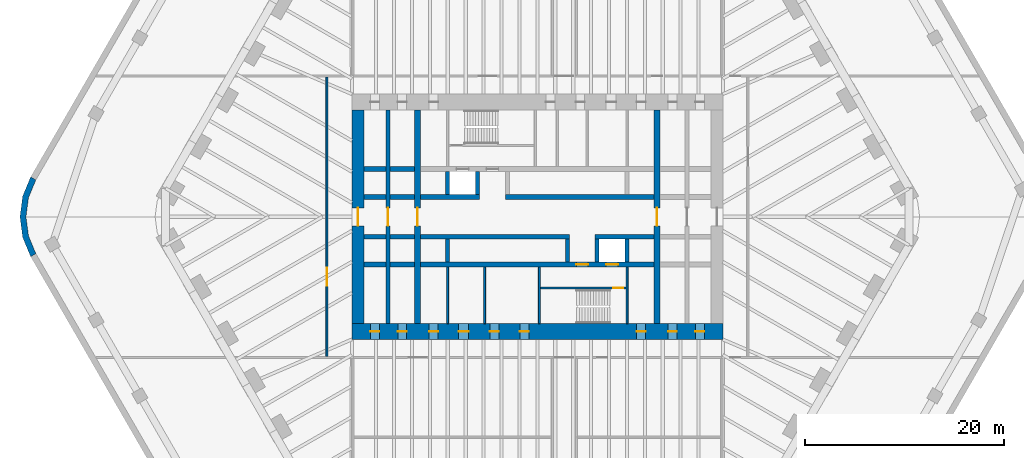
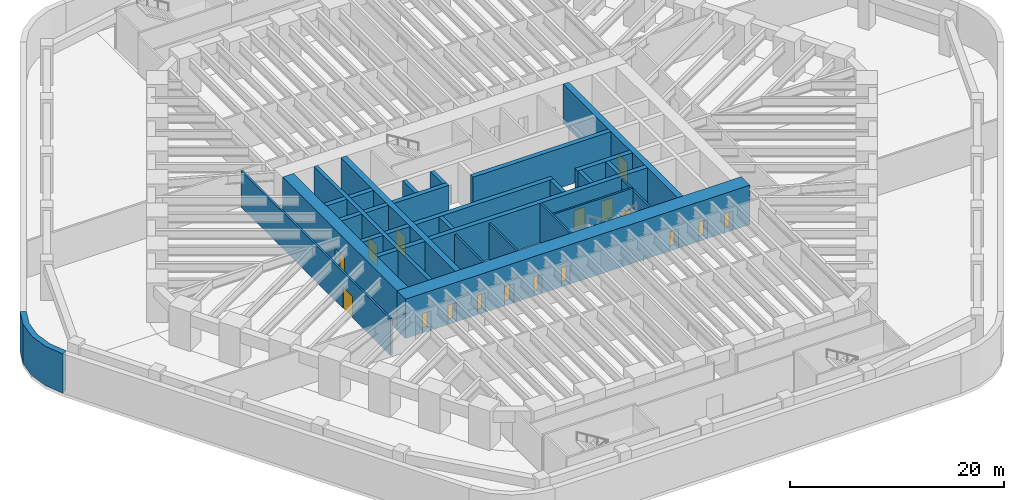
# One storey, part 6 of 12: 31 walls, 17 doors, 17 openings.
"""IFC4 building model written with IfcOpenShell, lengths in metres."""

from ifc_helpers import new_model, si_unit, direction, frame, frame_2d, origin, place, context, subcontext, project, spatial, polyline, rectangle, outline, extrude, material, layer, layer_set, type_object, element, fill, save


model = new_model("IFC4")

# Units and contexts
model_context = context("Model", 3, precision=1e-05, world=origin(), true_north=direction((0.0, 1.0)))
body_context = subcontext(model_context, "Body", "Model", "MODEL_VIEW")
ifc_project = project(units=[si_unit("LENGTHUNIT", "METRE"), si_unit("AREAUNIT", "SQUARE_METRE"), si_unit("VOLUMEUNIT", "CUBIC_METRE"), si_unit("PLANEANGLEUNIT", "RADIAN"), si_unit("MASSUNIT", "GRAM", prefix="KILO")], contexts=[model_context])

# Site, building, storey
site_placement = place(None, origin())
site = spatial("IfcSite", under=ifc_project, at=site_placement, CompositionType="ELEMENT")
building_placement = place(site_placement, origin())
building = spatial("IfcBuilding", under=site, at=building_placement, Name="Tarfa Lantern Tower", CompositionType="ELEMENT")
storey_placement = place(building_placement, frame((0.0, 0.0, -4.5)))
storey = spatial("IfcBuildingStorey", under=building, at=storey_placement, Name="B1", CompositionType="ELEMENT", Elevation=-4.5)

# Walls
ifc_material_1 = material(Name="Concrete blockwork", Category="masonry")
ifc_layer_1 = layer(ifc_material_1, 0.199951171875)
ifc_layer_set_1 = layer_set([ifc_layer_1], Name="IW1 BLOCKWORK PARTITION 200 EI 120")
wall_type_1 = type_object("IfcWallType", Name="IW1 BLOCKWORK PARTITION 200 EI 120", PredefinedType="PARTITIONING", material=ifc_layer_set_1)
for number, where, z_axis, x_axis, name in (
    (1, (9.0, -5.050048828125, 0.0), (0.0, 0.0, 1.0), (0.0, -1.0, 0.0), "Core partition"),
    (2, (-9.0, -5.050048828125, 0.0), (0.0, 0.0, 1.0), (0.0, -1.0, 0.0), "Core partition"),
    (3, (-5.300048828125, -5.050048828125, 0.0), (0.0, 0.0, 1.0), (0.0, -1.0, 0.0), "Core partition"),
):
    element("IfcWall", number, at=place(storey_placement, frame(where, z_axis=z_axis, x_axis=x_axis)), inside=storey, type_object=wall_type_1, Name=name, PredefinedType="PARTITIONING", context=body_context, shape_type="SweptSolid", body=[
        extrude(rectangle(XDim=5.64990234375, YDim=0.199951171875, at=frame_2d((2.824951171875, 0.0))), origin(), (0.0, 0.0, 1.0), 4.14990234375),
    ])

# Wall, opening, door
wall_1_placement = place(storey_placement, frame((-21.10009765625, -14.0, 0.0), z_axis=(0.0, 0.0, 1.0), x_axis=(0.0, 1.0, 0.0)))
wall_1 = element("IfcWall", 4, at=wall_1_placement, inside=storey, type_object=wall_type_1, Name="Fire-rated partition", PredefinedType="PARTITIONING", context=body_context, shape_type="SweptSolid", body=[
    extrude(rectangle(XDim=28.0, YDim=0.199951171875, at=frame_2d((14.0, 0.0))), origin(), (0.0, 0.0, 1.0), 4.14990234375),
])
opening_1_placement = place(wall_1_placement, frame((7.10009765625, 0.0, 0.0)))
opening_1 = element("IfcOpeningElement", 5, at=opening_1_placement, cuts=wall_1, Name="Opening D42", PredefinedType="OPENING", context=body_context, shape_type="SweptSolid", body=[
    extrude(rectangle(XDim=1.800048828125, YDim=2.39990234375, at=frame_2d((0.89990234375, 1.199951171875))), frame((0.0, 0.10986328125, 0.0), z_axis=(0.0, -1.0, 0.0), x_axis=(1.0, 0.0, 0.0)), (0.0, 0.0, 1.0), 0.219970703125),
])
ifc_material_2 = material(Name="Steel fire door", Category="steel")
door_type_1 = type_object("IfcDoorType", Name="DF7 FIRE DOOR 1800x2400", OperationType="DOUBLE_DOOR_SINGLE_SWING", PredefinedType="DOOR", material=ifc_material_2)
door_1_placement = place(opening_1_placement, origin())
door_1 = element("IfcDoor", 6, at=door_1_placement, inside=storey, type_object=door_type_1, Name="Plant room door", OperationType="DOUBLE_DOOR_SINGLE_SWING", OverallHeight=2.39990234375, OverallWidth=1.800048828125, PredefinedType="DOOR", context=body_context, shape_type="SweptSolid", body=[
    extrude(rectangle(XDim=1.800048828125, YDim=2.39990234375, at=frame_2d((0.89990234375, 1.199951171875))), frame((0.0, 0.02490234375, 0.0), z_axis=(0.0, -1.0, 0.0), x_axis=(1.0, 0.0, 0.0)), (0.0, 0.0, 1.0), 0.050048828125),
])
fill(opening_1, door_1)

# Wall
ifc_material_3 = material(Name="Concrete C50/60", Category="concrete")
ifc_layer_2 = layer(ifc_material_3, 0.60009765625)
ifc_layer_set_2 = layer_set([ifc_layer_2], Name="RW1 RETAINING WALL 600")
wall_type_2 = type_object("IfcWallType", Name="RW1 RETAINING WALL 600", PredefinedType="SOLIDWALL", material=ifc_layer_set_2)
wall_2_placement = place(storey_placement, origin())
element("IfcWall", 7, at=wall_2_placement, inside=storey, type_object=wall_type_2, Name="Retaining wall corner NW", PredefinedType="SOLIDWALL", context=body_context, shape_type="SweptSolid", body=[
    extrude(outline(polyline([(-50.806884765625, 4.0), (-51.60595703125, 2.070556640625), (-51.878662109375, 0.0), (-51.60595703125, -2.070556640625), (-50.806884765625, -4.0), (-50.287109375, -3.699951171875), (-51.0263671875, -1.915283203125), (-51.278564453125, 0.0), (-51.0263671875, 1.915283203125), (-50.287109375, 3.699951171875), (-50.806884765625, 4.0)])), origin(), (0.0, 0.0, 1.0), 4.5),
])

# Wall, opening, door
ifc_material_4 = material(Name="Concrete C80/95", Category="concrete")
ifc_layer_3 = layer(ifc_material_4, 1.199951171875)
ifc_layer_set_3 = layer_set([ifc_layer_3], Name="SW1 CORE WALL 1200")
wall_type_3 = type_object("IfcWallType", Name="SW1 CORE WALL 1200", PredefinedType="SHEAR", material=ifc_layer_set_3)
wall_3_placement = place(storey_placement, frame((-18.0, 10.699951171875, 0.0), z_axis=(0.0, 0.0, 1.0), x_axis=(0.0, -1.0, 0.0)))
wall_3 = element("IfcWall", 8, at=wall_3_placement, inside=storey, type_object=wall_type_3, Name="Core wall W", PredefinedType="SHEAR", context=body_context, shape_type="SweptSolid", body=[
    extrude(rectangle(XDim=21.39990234375, YDim=1.199951171875, at=frame_2d((10.699951171875, 0.0))), origin(), (0.0, 0.0, 1.0), 4.5),
])
opening_2_placement = place(wall_3_placement, frame((9.800048828125, 0.0, 0.0)))
opening_2 = element("IfcOpeningElement", 9, at=opening_2_placement, cuts=wall_3, Name="Opening D16", PredefinedType="OPENING", context=body_context, shape_type="SweptSolid", body=[
    extrude(rectangle(XDim=1.800048828125, YDim=2.39990234375, at=frame_2d((0.89990234375, 1.199951171875))), frame((0.0, 0.60986328125, 0.0), z_axis=(0.0, -1.0, 0.0), x_axis=(1.0, 0.0, 0.0)), (0.0, 0.0, 1.0), 1.219970703125),
])
door_type_2 = type_object("IfcDoorType", Name="DL1 LOBBY DOOR 1800x2400", OperationType="DOUBLE_DOOR_SINGLE_SWING", PredefinedType="DOOR", material=ifc_material_2)
door_2_placement = place(opening_2_placement, frame((1.800048828125, 0.0, 0.0), z_axis=(0.0, 0.0, 1.0), x_axis=(-1.0, 0.0, 0.0)))
door_2 = element("IfcDoor", 10, at=door_2_placement, inside=storey, type_object=door_type_2, Name="Lift lobby door", OperationType="DOUBLE_DOOR_SINGLE_SWING", OverallHeight=2.39990234375, OverallWidth=1.800048828125, PredefinedType="DOOR", context=body_context, shape_type="SweptSolid", body=[
    extrude(rectangle(XDim=1.800048828125, YDim=2.39990234375, at=frame_2d((0.89990234375, 1.199951171875))), frame((0.0, 0.02490234375, 0.0), z_axis=(0.0, -1.0, 0.0), x_axis=(1.0, 0.0, 0.0)), (0.0, 0.0, 1.0), 0.050048828125),
])
fill(opening_2, door_2)

# Wall
ifc_layer_4 = layer(ifc_material_4, 0.199951171875)
ifc_layer_set_4 = layer_set([ifc_layer_4], Name="SW12 CORE WALL 200")
wall_type_4 = type_object("IfcWallType", Name="SW12 CORE WALL 200", PredefinedType="SHEAR", material=ifc_layer_set_4)
wall_4_placement = place(storey_placement, frame((0.199951171875, -5.050048828125, 0.0), z_axis=(0.0, 0.0, 1.0), x_axis=(0.0, -1.0, 0.0)))
element("IfcWall", 11, at=wall_4_placement, inside=storey, type_object=wall_type_4, Name="Core wall stair shaft S", PredefinedType="SHEAR", context=body_context, shape_type="SweptSolid", body=[
    extrude(rectangle(XDim=5.64990234375, YDim=0.199951171875, at=frame_2d((2.824951171875, 0.0))), origin(), (0.0, 0.0, 1.0), 4.5),
])

# Wall, opening, door
wall_5_placement = place(storey_placement, frame((8.89990234375, -7.14990234375, 0.0), z_axis=(0.0, 0.0, 1.0), x_axis=(-1.0, 0.0, 0.0)))
wall_5 = element("IfcWall", 12, at=wall_5_placement, inside=storey, type_object=wall_type_4, Name="Core wall stair partition S", PredefinedType="SHEAR", context=body_context, shape_type="SweptSolid", body=[
    extrude(rectangle(XDim=8.599853515625, YDim=0.199951171875, at=frame_2d((4.2998046875, 0.0))), origin(), (0.0, 0.0, 1.0), 4.5),
])
opening_3_placement = place(wall_5_placement, frame((0.300048828125, 0.0, 0.0)))
opening_3 = element("IfcOpeningElement", 13, at=opening_3_placement, cuts=wall_5, Name="Opening D24", PredefinedType="OPENING", context=body_context, shape_type="SweptSolid", body=[
    extrude(rectangle(XDim=1.0, YDim=2.199951171875, at=frame_2d((0.5, 1.10009765625))), frame((0.0, 0.10986328125, 0.0), z_axis=(0.0, -1.0, 0.0), x_axis=(1.0, 0.0, 0.0)), (0.0, 0.0, 1.0), 0.219970703125),
])
door_type_3 = type_object("IfcDoorType", Name="DF2 STAIR DOOR 1000x2200", OperationType="SINGLE_SWING_LEFT", PredefinedType="DOOR", material=ifc_material_2)
door_3_placement = place(opening_3_placement, origin())
door_3 = element("IfcDoor", 14, at=door_3_placement, inside=storey, type_object=door_type_3, Name="Stair door", OperationType="SINGLE_SWING_RIGHT", OverallHeight=2.199951171875, OverallWidth=1.0, PredefinedType="DOOR", context=body_context, shape_type="SweptSolid", body=[
    extrude(rectangle(XDim=1.0, YDim=2.199951171875, at=frame_2d((0.5, 1.10009765625))), frame((0.0, 0.02490234375, 0.0), z_axis=(0.0, -1.0, 0.0), x_axis=(1.0, 0.0, 0.0)), (0.0, 0.0, 1.0), 0.050048828125),
])
fill(opening_3, door_3)

# Walls
ifc_layer_5 = layer(ifc_material_4, 0.5)
ifc_layer_set_5 = layer_set([ifc_layer_5], Name="SW5 CORE WALL 500")
wall_type_5 = type_object("IfcWallType", Name="SW5 CORE WALL 500", PredefinedType="SHEAR", material=ifc_layer_set_5)
wall_6_placement = place(storey_placement, frame((-17.39990234375, 2.0, 0.0), z_axis=(0.0, 0.0, 1.0), x_axis=(1.0, 0.0, 0.0)))
element("IfcWall", 15, at=wall_6_placement, inside=storey, type_object=wall_type_5, Name="Core wall lobby west N", PredefinedType="SHEAR", context=body_context, shape_type="SweptSolid", body=[
    extrude(rectangle(XDim=2.199951171875, YDim=0.5, at=frame_2d((1.10009765625, 0.0))), origin(), (0.0, 0.0, 1.0), 4.5),
])
wall_7_placement = place(storey_placement, frame((-14.800048828125, 2.0, 0.0), z_axis=(0.0, 0.0, 1.0), x_axis=(1.0, 0.0, 0.0)))
element("IfcWall", 16, at=wall_7_placement, inside=storey, type_object=wall_type_5, Name="Core wall lobby west N", PredefinedType="SHEAR", context=body_context, shape_type="SweptSolid", body=[
    extrude(rectangle(XDim=2.5, YDim=0.5, at=frame_2d((1.25, 0.0))), origin(), (0.0, 0.0, 1.0), 4.5),
])
wall_8_placement = place(storey_placement, frame((-11.699951171875, 2.0, 0.0), z_axis=(0.0, 0.0, 1.0), x_axis=(1.0, 0.0, 0.0)))
element("IfcWall", 17, at=wall_8_placement, inside=storey, type_object=wall_type_5, Name="Core wall lobby west N", PredefinedType="SHEAR", context=body_context, shape_type="SweptSolid", body=[
    extrude(rectangle(XDim=5.89990234375, YDim=0.5, at=frame_2d((2.949951171875, 0.0))), origin(), (0.0, 0.0, 1.0), 4.5),
])
wall_9_placement = place(storey_placement, frame((-3.199951171875, 2.0, 0.0), z_axis=(0.0, 0.0, 1.0), x_axis=(1.0, 0.0, 0.0)))
element("IfcWall", 18, at=wall_9_placement, inside=storey, type_object=wall_type_5, Name="Core wall lobby east N", PredefinedType="SHEAR", context=body_context, shape_type="SweptSolid", body=[
    extrude(rectangle(XDim=14.89990234375, YDim=0.5, at=frame_2d((7.449951171875, 0.0))), origin(), (0.0, 0.0, 1.0), 4.5),
])
wall_10_placement = place(storey_placement, frame((-17.39990234375, 4.800048828125, 0.0), z_axis=(0.0, 0.0, 1.0), x_axis=(1.0, 0.0, 0.0)))
element("IfcWall", 19, at=wall_10_placement, inside=storey, type_object=wall_type_5, Name="Core wall rear N", PredefinedType="SHEAR", context=body_context, shape_type="SweptSolid", body=[
    extrude(rectangle(XDim=2.199951171875, YDim=0.5, at=frame_2d((1.10009765625, 0.0))), origin(), (0.0, 0.0, 1.0), 4.5),
])
wall_11_placement = place(storey_placement, frame((-14.800048828125, 4.800048828125, 0.0), z_axis=(0.0, 0.0, 1.0), x_axis=(1.0, 0.0, 0.0)))
element("IfcWall", 20, at=wall_11_placement, inside=storey, type_object=wall_type_5, Name="Core wall rear N", PredefinedType="SHEAR", context=body_context, shape_type="SweptSolid", body=[
    extrude(rectangle(XDim=2.5, YDim=0.5, at=frame_2d((1.25, 0.0))), origin(), (0.0, 0.0, 1.0), 4.5),
])
wall_12_placement = place(storey_placement, frame((11.699951171875, -2.0, 0.0), z_axis=(0.0, 0.0, 1.0), x_axis=(-1.0, 0.0, 0.0)))
element("IfcWall", 21, at=wall_12_placement, inside=storey, type_object=wall_type_5, Name="Core wall lobby west S", PredefinedType="SHEAR", context=body_context, shape_type="SweptSolid", body=[
    extrude(rectangle(XDim=5.89990234375, YDim=0.5, at=frame_2d((2.949951171875, 0.0))), origin(), (0.0, 0.0, 1.0), 4.5),
])
wall_13_placement = place(storey_placement, frame((3.199951171875, -2.0, 0.0), z_axis=(0.0, 0.0, 1.0), x_axis=(-1.0, 0.0, 0.0)))
element("IfcWall", 22, at=wall_13_placement, inside=storey, type_object=wall_type_5, Name="Core wall lobby east S", PredefinedType="SHEAR", context=body_context, shape_type="SweptSolid", body=[
    extrude(rectangle(XDim=14.89990234375, YDim=0.5, at=frame_2d((7.449951171875, 0.0))), origin(), (0.0, 0.0, 1.0), 4.5),
])
wall_14_placement = place(storey_placement, frame((-12.300048828125, -2.0, 0.0), z_axis=(0.0, 0.0, 1.0), x_axis=(-1.0, 0.0, 0.0)))
element("IfcWall", 23, at=wall_14_placement, inside=storey, type_object=wall_type_5, Name="Core wall lobby east S", PredefinedType="SHEAR", context=body_context, shape_type="SweptSolid", body=[
    extrude(rectangle(XDim=2.5, YDim=0.5, at=frame_2d((1.25, 0.0))), origin(), (0.0, 0.0, 1.0), 4.5),
])
wall_15_placement = place(storey_placement, frame((-15.199951171875, -2.0, 0.0), z_axis=(0.0, 0.0, 1.0), x_axis=(-1.0, 0.0, 0.0)))
element("IfcWall", 24, at=wall_15_placement, inside=storey, type_object=wall_type_5, Name="Core wall lobby east S", PredefinedType="SHEAR", context=body_context, shape_type="SweptSolid", body=[
    extrude(rectangle(XDim=2.199951171875, YDim=0.5, at=frame_2d((1.10009765625, 0.0))), origin(), (0.0, 0.0, 1.0), 4.5),
])

# Wall, openings, doors
wall_16_placement = place(storey_placement, frame((11.699951171875, -4.800048828125, 0.0), z_axis=(0.0, 0.0, 1.0), x_axis=(-1.0, 0.0, 0.0)))
wall_16 = element("IfcWall", 25, at=wall_16_placement, inside=storey, type_object=wall_type_5, Name="Core wall rear S", PredefinedType="SHEAR", context=body_context, shape_type="SweptSolid", body=[
    extrude(rectangle(XDim=23.39990234375, YDim=0.5, at=frame_2d((11.699951171875, 0.0))), origin(), (0.0, 0.0, 1.0), 4.5),
])
opening_4_placement = place(wall_16_placement, frame((6.60009765625, 0.0, 0.0)))
opening_4 = element("IfcOpeningElement", 26, at=opening_4_placement, cuts=wall_16, Name="Opening D14", PredefinedType="OPENING", context=body_context, shape_type="SweptSolid", body=[
    extrude(rectangle(XDim=1.199951171875, YDim=2.199951171875, at=frame_2d((0.60009765625, 1.10009765625))), frame((0.0, 0.260009765625, 0.0), z_axis=(0.0, -1.0, 0.0), x_axis=(1.0, 0.0, 0.0)), (0.0, 0.0, 1.0), 0.52001953125),
])
opening_5_placement = place(wall_16_placement, frame((3.60009765625, 0.0, 0.0)))
opening_5 = element("IfcOpeningElement", 27, at=opening_5_placement, cuts=wall_16, Name="Opening LD02", PredefinedType="OPENING", context=body_context, shape_type="SweptSolid", body=[
    extrude(rectangle(XDim=1.199951171875, YDim=2.199951171875, at=frame_2d((0.60009765625, 1.10009765625))), frame((0.0, 0.260009765625, 0.0), z_axis=(0.0, -1.0, 0.0), x_axis=(1.0, 0.0, 0.0)), (0.0, 0.0, 1.0), 0.52001953125),
])
door_type_4 = type_object("IfcDoorType", Name="DF1 FIREFIGHTING LOBBY DOOR 1200x2200", OperationType="SINGLE_SWING_LEFT", PredefinedType="DOOR", material=ifc_material_2)
door_4_placement = place(opening_4_placement, origin())
door_4 = element("IfcDoor", 28, at=door_4_placement, inside=storey, type_object=door_type_4, Name="Firefighting lobby door", OperationType="SINGLE_SWING_LEFT", OverallHeight=2.199951171875, OverallWidth=1.199951171875, PredefinedType="DOOR", context=body_context, shape_type="SweptSolid", body=[
    extrude(rectangle(XDim=1.199951171875, YDim=2.199951171875, at=frame_2d((0.60009765625, 1.10009765625))), frame((0.0, 0.02490234375, 0.0), z_axis=(0.0, -1.0, 0.0), x_axis=(1.0, 0.0, 0.0)), (0.0, 0.0, 1.0), 0.050048828125),
])
fill(opening_4, door_4)
ifc_material_5 = material(Name="Stainless steel lift door", Category="steel")
door_type_5 = type_object("IfcDoorType", Name="LD1 LIFT LANDING DOOR 1200x2200", OperationType="SLIDING_TO_LEFT", PredefinedType="DOOR", material=ifc_material_5)
door_5_placement = place(opening_5_placement, origin())
door_5 = element("IfcDoor", 29, at=door_5_placement, inside=storey, type_object=door_type_5, Name="Landing door FL2", OperationType="SLIDING_TO_LEFT", OverallHeight=2.199951171875, OverallWidth=1.199951171875, PredefinedType="DOOR", context=body_context, shape_type="SweptSolid", body=[
    extrude(rectangle(XDim=1.199951171875, YDim=2.199951171875, at=frame_2d((0.60009765625, 1.10009765625))), frame((0.0, 0.02490234375, 0.0), z_axis=(0.0, -1.0, 0.0), x_axis=(1.0, 0.0, 0.0)), (0.0, 0.0, 1.0), 0.050048828125),
])
fill(opening_5, door_5)

# Walls
wall_17_placement = place(storey_placement, frame((-12.300048828125, -4.800048828125, 0.0), z_axis=(0.0, 0.0, 1.0), x_axis=(-1.0, 0.0, 0.0)))
element("IfcWall", 30, at=wall_17_placement, inside=storey, type_object=wall_type_5, Name="Core wall rear S", PredefinedType="SHEAR", context=body_context, shape_type="SweptSolid", body=[
    extrude(rectangle(XDim=2.5, YDim=0.5, at=frame_2d((1.25, 0.0))), origin(), (0.0, 0.0, 1.0), 4.5),
])
wall_18_placement = place(storey_placement, frame((-15.199951171875, -4.800048828125, 0.0), z_axis=(0.0, 0.0, 1.0), x_axis=(-1.0, 0.0, 0.0)))
element("IfcWall", 31, at=wall_18_placement, inside=storey, type_object=wall_type_5, Name="Core wall rear S", PredefinedType="SHEAR", context=body_context, shape_type="SweptSolid", body=[
    extrude(rectangle(XDim=2.199951171875, YDim=0.5, at=frame_2d((1.10009765625, 0.0))), origin(), (0.0, 0.0, 1.0), 4.5),
])

# Wall, opening, door
ifc_layer_6 = layer(ifc_material_4, 0.39990234375)
ifc_layer_set_6 = layer_set([ifc_layer_6], Name="SW6 CORE WALL 400")
wall_type_6 = type_object("IfcWallType", Name="SW6 CORE WALL 400", PredefinedType="SHEAR", material=ifc_layer_set_6)
wall_19_placement = place(storey_placement, frame((-15.0, -10.699951171875, 0.0), z_axis=(0.0, 0.0, 1.0), x_axis=(0.0, 1.0, 0.0)))
wall_19 = element("IfcWall", 32, at=wall_19_placement, inside=storey, type_object=wall_type_6, Name="Core wall cross 15 m west", PredefinedType="SHEAR", context=body_context, shape_type="SweptSolid", body=[
    extrude(rectangle(XDim=21.39990234375, YDim=0.39990234375, at=frame_2d((10.699951171875, 0.0))), origin(), (0.0, 0.0, 1.0), 4.5),
])
opening_6_placement = place(wall_19_placement, frame((9.800048828125, 0.0, 0.0)))
opening_6 = element("IfcOpeningElement", 33, at=opening_6_placement, cuts=wall_19, Name="Opening D28", PredefinedType="OPENING", context=body_context, shape_type="SweptSolid", body=[
    extrude(rectangle(XDim=1.800048828125, YDim=2.39990234375, at=frame_2d((0.89990234375, 1.199951171875))), frame((0.0, 0.2099609375, 0.0), z_axis=(0.0, -1.0, 0.0), x_axis=(1.0, 0.0, 0.0)), (0.0, 0.0, 1.0), 0.419921875),
])
door_6_placement = place(opening_6_placement, origin())
door_6 = element("IfcDoor", 34, at=door_6_placement, inside=storey, type_object=door_type_2, Name="Lift lobby door", OperationType="DOUBLE_DOOR_SINGLE_SWING", OverallHeight=2.39990234375, OverallWidth=1.800048828125, PredefinedType="DOOR", context=body_context, shape_type="SweptSolid", body=[
    extrude(rectangle(XDim=1.800048828125, YDim=2.39990234375, at=frame_2d((0.89990234375, 1.199951171875))), frame((0.0, 0.02490234375, 0.0), z_axis=(0.0, -1.0, 0.0), x_axis=(1.0, 0.0, 0.0)), (0.0, 0.0, 1.0), 0.050048828125),
])
fill(opening_6, door_6)

# Walls
for number, where, z_axis, x_axis, name in (
    (35, (-9.0, 2.25, 0.0), (0.0, 0.0, 1.0), (0.0, 1.0, 0.0), "Core wall divider N"),
    (36, (-6.0, 2.25, 0.0), (0.0, 0.0, 1.0), (0.0, 1.0, 0.0), "Core wall divider N"),
    (37, (9.0, -2.25, 0.0), (0.0, 0.0, 1.0), (0.0, -1.0, 0.0), "Core wall divider S"),
    (38, (6.0, -2.25, 0.0), (0.0, 0.0, 1.0), (0.0, -1.0, 0.0), "Core wall divider S"),
    (39, (3.0, -2.25, 0.0), (0.0, 0.0, 1.0), (0.0, -1.0, 0.0), "Core wall divider S"),
    (40, (-9.0, -2.25, 0.0), (0.0, 0.0, 1.0), (0.0, -1.0, 0.0), "Core wall divider S"),
):
    element("IfcWall", number, at=place(storey_placement, frame(where, z_axis=z_axis, x_axis=x_axis)), inside=storey, type_object=wall_type_6, Name=name, PredefinedType="SHEAR", context=body_context, shape_type="SweptSolid", body=[
        extrude(rectangle(XDim=2.300048828125, YDim=0.39990234375, at=frame_2d((1.14990234375, 0.0))), origin(), (0.0, 0.0, 1.0), 4.5),
    ])

# Wall, openings, doors
ifc_layer_7 = layer(ifc_material_4, 1.60009765625)
ifc_layer_set_7 = layer_set([ifc_layer_7], Name="SW7 CORE WALL 1600")
wall_type_7 = type_object("IfcWallType", Name="SW7 CORE WALL 1600", PredefinedType="SHEAR", material=ifc_layer_set_7)
wall_20_placement = place(storey_placement, frame((18.60009765625, -11.5, 0.0), z_axis=(0.0, 0.0, 1.0), x_axis=(-1.0, 0.0, 0.0)))
wall_20 = element("IfcWall", 41, at=wall_20_placement, inside=storey, type_object=wall_type_7, Name="Core wall S", PredefinedType="SHEAR", context=body_context, shape_type="SweptSolid", body=[
    extrude(rectangle(XDim=37.2001953125, YDim=1.60009765625, at=frame_2d((18.60009765625, 0.0))), origin(), (0.0, 0.0, 1.0), 4.5),
])
opening_7_placement = place(wall_20_placement, frame((19.449951171875, 0.0, 0.0)))
opening_7 = element("IfcOpeningElement", 42, at=opening_7_placement, cuts=wall_20, Name="Opening D18", PredefinedType="OPENING", context=body_context, shape_type="SweptSolid", body=[
    extrude(rectangle(XDim=0.89990234375, YDim=2.199951171875, at=frame_2d((0.449951171875, 1.10009765625))), frame((0.0, 0.81005859375, 0.0), z_axis=(0.0, -1.0, 0.0), x_axis=(1.0, 0.0, 0.0)), (0.0, 0.0, 1.0), 1.6201171875),
])
opening_8_placement = place(wall_20_placement, frame((22.449951171875, 0.0, 0.0)))
opening_8 = element("IfcOpeningElement", 43, at=opening_8_placement, cuts=wall_20, Name="Opening D20", PredefinedType="OPENING", context=body_context, shape_type="SweptSolid", body=[
    extrude(rectangle(XDim=0.89990234375, YDim=2.199951171875, at=frame_2d((0.449951171875, 1.10009765625))), frame((0.0, 0.81005859375, 0.0), z_axis=(0.0, -1.0, 0.0), x_axis=(1.0, 0.0, 0.0)), (0.0, 0.0, 1.0), 1.6201171875),
])
opening_9_placement = place(wall_20_placement, frame((25.5, 0.0, 0.0)))
opening_9 = element("IfcOpeningElement", 44, at=opening_9_placement, cuts=wall_20, Name="Opening D22", PredefinedType="OPENING", context=body_context, shape_type="SweptSolid", body=[
    extrude(rectangle(XDim=1.0, YDim=2.199951171875, at=frame_2d((0.5, 1.10009765625))), frame((0.0, 0.81005859375, 0.0), z_axis=(0.0, -1.0, 0.0), x_axis=(1.0, 0.0, 0.0)), (0.0, 0.0, 1.0), 1.6201171875),
])
opening_10_placement = place(wall_20_placement, frame((1.85009765625, 0.0, 0.0)))
opening_10 = element("IfcOpeningElement", 45, at=opening_10_placement, cuts=wall_20, Name="Opening D12", PredefinedType="OPENING", context=body_context, shape_type="SweptSolid", body=[
    extrude(rectangle(XDim=0.89990234375, YDim=2.199951171875, at=frame_2d((0.449951171875, 1.10009765625))), frame((0.0, 0.81005859375, 0.0), z_axis=(0.0, -1.0, 0.0), x_axis=(1.0, 0.0, 0.0)), (0.0, 0.0, 1.0), 1.6201171875),
])
opening_11_placement = place(wall_20_placement, frame((4.60009765625, 0.0, 0.0)))
opening_11 = element("IfcOpeningElement", 46, at=opening_11_placement, cuts=wall_20, Name="Opening D08", PredefinedType="OPENING", context=body_context, shape_type="SweptSolid", body=[
    extrude(rectangle(XDim=0.89990234375, YDim=2.199951171875, at=frame_2d((0.449951171875, 1.10009765625))), frame((0.0, 0.81005859375, 0.0), z_axis=(0.0, -1.0, 0.0), x_axis=(1.0, 0.0, 0.0)), (0.0, 0.0, 1.0), 1.6201171875),
])
opening_12_placement = place(wall_20_placement, frame((7.75, 0.0, 0.0)))
opening_12 = element("IfcOpeningElement", 47, at=opening_12_placement, cuts=wall_20, Name="Opening D10", PredefinedType="OPENING", context=body_context, shape_type="SweptSolid", body=[
    extrude(rectangle(XDim=0.89990234375, YDim=2.199951171875, at=frame_2d((0.449951171875, 1.10009765625))), frame((0.0, 0.81005859375, 0.0), z_axis=(0.0, -1.0, 0.0), x_axis=(1.0, 0.0, 0.0)), (0.0, 0.0, 1.0), 1.6201171875),
])
opening_13_placement = place(wall_20_placement, frame((28.550048828125, 0.0, 0.0)))
opening_13 = element("IfcOpeningElement", 48, at=opening_13_placement, cuts=wall_20, Name="Opening D06", PredefinedType="OPENING", context=body_context, shape_type="SweptSolid", body=[
    extrude(rectangle(XDim=0.89990234375, YDim=2.199951171875, at=frame_2d((0.449951171875, 1.10009765625))), frame((0.0, 0.81005859375, 0.0), z_axis=(0.0, -1.0, 0.0), x_axis=(1.0, 0.0, 0.0)), (0.0, 0.0, 1.0), 1.6201171875),
])
opening_14_placement = place(wall_20_placement, frame((31.699951171875, 0.0, 0.0)))
opening_14 = element("IfcOpeningElement", 49, at=opening_14_placement, cuts=wall_20, Name="Opening D02", PredefinedType="OPENING", context=body_context, shape_type="SweptSolid", body=[
    extrude(rectangle(XDim=0.89990234375, YDim=2.199951171875, at=frame_2d((0.449951171875, 1.10009765625))), frame((0.0, 0.81005859375, 0.0), z_axis=(0.0, -1.0, 0.0), x_axis=(1.0, 0.0, 0.0)), (0.0, 0.0, 1.0), 1.6201171875),
])
opening_15_placement = place(wall_20_placement, frame((34.449951171875, 0.0, 0.0)))
opening_15 = element("IfcOpeningElement", 50, at=opening_15_placement, cuts=wall_20, Name="Opening D04", PredefinedType="OPENING", context=body_context, shape_type="SweptSolid", body=[
    extrude(rectangle(XDim=0.89990234375, YDim=2.199951171875, at=frame_2d((0.449951171875, 1.10009765625))), frame((0.0, 0.81005859375, 0.0), z_axis=(0.0, -1.0, 0.0), x_axis=(1.0, 0.0, 0.0)), (0.0, 0.0, 1.0), 1.6201171875),
])
door_type_6 = type_object("IfcDoorType", Name="DF3 CORE ROOM DOOR 900x2200", OperationType="SINGLE_SWING_LEFT", PredefinedType="DOOR", material=ifc_material_2)
door_7_placement = place(opening_7_placement, frame((0.89990234375, 0.0, 0.0), z_axis=(0.0, 0.0, 1.0), x_axis=(-1.0, 0.0, 0.0)))
door_7 = element("IfcDoor", 51, at=door_7_placement, inside=storey, type_object=door_type_6, Name="Core door", OperationType="SINGLE_SWING_LEFT", OverallHeight=2.199951171875, OverallWidth=0.89990234375, PredefinedType="DOOR", context=body_context, shape_type="SweptSolid", body=[
    extrude(rectangle(XDim=0.89990234375, YDim=2.199951171875, at=frame_2d((0.449951171875, 1.10009765625))), frame((0.0, 0.02490234375, 0.0), z_axis=(0.0, -1.0, 0.0), x_axis=(1.0, 0.0, 0.0)), (0.0, 0.0, 1.0), 0.050048828125),
])
fill(opening_7, door_7)
door_8_placement = place(opening_8_placement, frame((0.89990234375, 0.0, 0.0), z_axis=(0.0, 0.0, 1.0), x_axis=(-1.0, 0.0, 0.0)))
door_8 = element("IfcDoor", 52, at=door_8_placement, inside=storey, type_object=door_type_6, Name="Core door", OperationType="SINGLE_SWING_RIGHT", OverallHeight=2.199951171875, OverallWidth=0.89990234375, PredefinedType="DOOR", context=body_context, shape_type="SweptSolid", body=[
    extrude(rectangle(XDim=0.89990234375, YDim=2.199951171875, at=frame_2d((0.449951171875, 1.10009765625))), frame((0.0, 0.02490234375, 0.0), z_axis=(0.0, -1.0, 0.0), x_axis=(1.0, 0.0, 0.0)), (0.0, 0.0, 1.0), 0.050048828125),
])
fill(opening_8, door_8)
door_type_7 = type_object("IfcDoorType", Name="DF4 CORE ROOM DOOR 1000x2200", OperationType="SINGLE_SWING_LEFT", PredefinedType="DOOR", material=ifc_material_2)
door_9_placement = place(opening_9_placement, frame((1.0, 0.0, 0.0), z_axis=(0.0, 0.0, 1.0), x_axis=(-1.0, 0.0, 0.0)))
door_9 = element("IfcDoor", 53, at=door_9_placement, inside=storey, type_object=door_type_7, Name="Core door", OperationType="SINGLE_SWING_RIGHT", OverallHeight=2.199951171875, OverallWidth=1.0, PredefinedType="DOOR", context=body_context, shape_type="SweptSolid", body=[
    extrude(rectangle(XDim=1.0, YDim=2.199951171875, at=frame_2d((0.5, 1.10009765625))), frame((0.0, 0.02490234375, 0.0), z_axis=(0.0, -1.0, 0.0), x_axis=(1.0, 0.0, 0.0)), (0.0, 0.0, 1.0), 0.050048828125),
])
fill(opening_9, door_9)
door_type_8 = type_object("IfcDoorType", Name="DF5 RISER DOOR 900x2200", OperationType="SINGLE_SWING_LEFT", PredefinedType="DOOR", material=ifc_material_2)
door_10_placement = place(opening_10_placement, frame((0.89990234375, 0.0, 0.0), z_axis=(0.0, 0.0, 1.0), x_axis=(-1.0, 0.0, 0.0)))
door_10 = element("IfcDoor", 54, at=door_10_placement, inside=storey, type_object=door_type_8, Name="Riser door", OperationType="SINGLE_SWING_LEFT", OverallHeight=2.199951171875, OverallWidth=0.89990234375, PredefinedType="DOOR", context=body_context, shape_type="SweptSolid", body=[
    extrude(rectangle(XDim=0.89990234375, YDim=2.199951171875, at=frame_2d((0.449951171875, 1.10009765625))), frame((0.0, 0.02490234375, 0.0), z_axis=(0.0, -1.0, 0.0), x_axis=(1.0, 0.0, 0.0)), (0.0, 0.0, 1.0), 0.050048828125),
])
fill(opening_10, door_10)
door_11_placement = place(opening_11_placement, frame((0.89990234375, 0.0, 0.0), z_axis=(0.0, 0.0, 1.0), x_axis=(-1.0, 0.0, 0.0)))
door_11 = element("IfcDoor", 55, at=door_11_placement, inside=storey, type_object=door_type_8, Name="Riser door", OperationType="SINGLE_SWING_LEFT", OverallHeight=2.199951171875, OverallWidth=0.89990234375, PredefinedType="DOOR", context=body_context, shape_type="SweptSolid", body=[
    extrude(rectangle(XDim=0.89990234375, YDim=2.199951171875, at=frame_2d((0.449951171875, 1.10009765625))), frame((0.0, 0.02490234375, 0.0), z_axis=(0.0, -1.0, 0.0), x_axis=(1.0, 0.0, 0.0)), (0.0, 0.0, 1.0), 0.050048828125),
])
fill(opening_11, door_11)
door_12_placement = place(opening_12_placement, frame((0.89990234375, 0.0, 0.0), z_axis=(0.0, 0.0, 1.0), x_axis=(-1.0, 0.0, 0.0)))
door_12 = element("IfcDoor", 56, at=door_12_placement, inside=storey, type_object=door_type_8, Name="Riser door", OperationType="SINGLE_SWING_LEFT", OverallHeight=2.199951171875, OverallWidth=0.89990234375, PredefinedType="DOOR", context=body_context, shape_type="SweptSolid", body=[
    extrude(rectangle(XDim=0.89990234375, YDim=2.199951171875, at=frame_2d((0.449951171875, 1.10009765625))), frame((0.0, 0.02490234375, 0.0), z_axis=(0.0, -1.0, 0.0), x_axis=(1.0, 0.0, 0.0)), (0.0, 0.0, 1.0), 0.050048828125),
])
fill(opening_12, door_12)
door_13_placement = place(opening_13_placement, frame((0.89990234375, 0.0, 0.0), z_axis=(0.0, 0.0, 1.0), x_axis=(-1.0, 0.0, 0.0)))
door_13 = element("IfcDoor", 57, at=door_13_placement, inside=storey, type_object=door_type_8, Name="Riser door", OperationType="SINGLE_SWING_RIGHT", OverallHeight=2.199951171875, OverallWidth=0.89990234375, PredefinedType="DOOR", context=body_context, shape_type="SweptSolid", body=[
    extrude(rectangle(XDim=0.89990234375, YDim=2.199951171875, at=frame_2d((0.449951171875, 1.10009765625))), frame((0.0, 0.02490234375, 0.0), z_axis=(0.0, -1.0, 0.0), x_axis=(1.0, 0.0, 0.0)), (0.0, 0.0, 1.0), 0.050048828125),
])
fill(opening_13, door_13)
door_14_placement = place(opening_14_placement, frame((0.89990234375, 0.0, 0.0), z_axis=(0.0, 0.0, 1.0), x_axis=(-1.0, 0.0, 0.0)))
door_14 = element("IfcDoor", 58, at=door_14_placement, inside=storey, type_object=door_type_8, Name="Riser door", OperationType="SINGLE_SWING_RIGHT", OverallHeight=2.199951171875, OverallWidth=0.89990234375, PredefinedType="DOOR", context=body_context, shape_type="SweptSolid", body=[
    extrude(rectangle(XDim=0.89990234375, YDim=2.199951171875, at=frame_2d((0.449951171875, 1.10009765625))), frame((0.0, 0.02490234375, 0.0), z_axis=(0.0, -1.0, 0.0), x_axis=(1.0, 0.0, 0.0)), (0.0, 0.0, 1.0), 0.050048828125),
])
fill(opening_14, door_14)
door_15_placement = place(opening_15_placement, frame((0.89990234375, 0.0, 0.0), z_axis=(0.0, 0.0, 1.0), x_axis=(-1.0, 0.0, 0.0)))
door_15 = element("IfcDoor", 59, at=door_15_placement, inside=storey, type_object=door_type_8, Name="Riser door", OperationType="SINGLE_SWING_RIGHT", OverallHeight=2.199951171875, OverallWidth=0.89990234375, PredefinedType="DOOR", context=body_context, shape_type="SweptSolid", body=[
    extrude(rectangle(XDim=0.89990234375, YDim=2.199951171875, at=frame_2d((0.449951171875, 1.10009765625))), frame((0.0, 0.02490234375, 0.0), z_axis=(0.0, -1.0, 0.0), x_axis=(1.0, 0.0, 0.0)), (0.0, 0.0, 1.0), 0.050048828125),
])
fill(opening_15, door_15)

# Wall, opening, door
ifc_layer_8 = layer(ifc_material_4, 0.60009765625)
ifc_layer_set_8 = layer_set([ifc_layer_8], Name="SW9 CORE WALL 600")
wall_type_8 = type_object("IfcWallType", Name="SW9 CORE WALL 600", PredefinedType="SHEAR", material=ifc_layer_set_8)
wall_21_placement = place(storey_placement, frame((12.0, -10.699951171875, 0.0), z_axis=(0.0, 0.0, 1.0), x_axis=(0.0, 1.0, 0.0)))
wall_21 = element("IfcWall", 60, at=wall_21_placement, inside=storey, type_object=wall_type_8, Name="Core wall cross 12 m east", PredefinedType="SHEAR", context=body_context, shape_type="SweptSolid", body=[
    extrude(rectangle(XDim=21.39990234375, YDim=0.60009765625, at=frame_2d((10.699951171875, 0.0))), origin(), (0.0, 0.0, 1.0), 4.5),
])
opening_16_placement = place(wall_21_placement, frame((9.800048828125, 0.0, 0.0)))
opening_16 = element("IfcOpeningElement", 61, at=opening_16_placement, cuts=wall_21, Name="Opening D25", PredefinedType="OPENING", context=body_context, shape_type="SweptSolid", body=[
    extrude(rectangle(XDim=1.800048828125, YDim=2.39990234375, at=frame_2d((0.89990234375, 1.199951171875))), frame((0.0, 0.31005859375, 0.0), z_axis=(0.0, -1.0, 0.0), x_axis=(1.0, 0.0, 0.0)), (0.0, 0.0, 1.0), 0.6201171875),
])
door_16_placement = place(opening_16_placement, origin())
door_16 = element("IfcDoor", 62, at=door_16_placement, inside=storey, type_object=door_type_2, Name="Lift lobby door", OperationType="DOUBLE_DOOR_SINGLE_SWING", OverallHeight=2.39990234375, OverallWidth=1.800048828125, PredefinedType="DOOR", context=body_context, shape_type="SweptSolid", body=[
    extrude(rectangle(XDim=1.800048828125, YDim=2.39990234375, at=frame_2d((0.89990234375, 1.199951171875))), frame((0.0, 0.02490234375, 0.0), z_axis=(0.0, -1.0, 0.0), x_axis=(1.0, 0.0, 0.0)), (0.0, 0.0, 1.0), 0.050048828125),
])
fill(opening_16, door_16)

wall_22_placement = place(storey_placement, frame((-12.0, -10.699951171875, 0.0), z_axis=(0.0, 0.0, 1.0), x_axis=(0.0, 1.0, 0.0)))
wall_22 = element("IfcWall", 63, at=wall_22_placement, inside=storey, type_object=wall_type_8, Name="Core wall cross 12 m west", PredefinedType="SHEAR", context=body_context, shape_type="SweptSolid", body=[
    extrude(rectangle(XDim=21.39990234375, YDim=0.60009765625, at=frame_2d((10.699951171875, 0.0))), origin(), (0.0, 0.0, 1.0), 4.5),
])
opening_17_placement = place(wall_22_placement, frame((9.800048828125, 0.0, 0.0)))
opening_17 = element("IfcOpeningElement", 64, at=opening_17_placement, cuts=wall_22, Name="Opening D27", PredefinedType="OPENING", context=body_context, shape_type="SweptSolid", body=[
    extrude(rectangle(XDim=1.800048828125, YDim=2.39990234375, at=frame_2d((0.89990234375, 1.199951171875))), frame((0.0, 0.31005859375, 0.0), z_axis=(0.0, -1.0, 0.0), x_axis=(1.0, 0.0, 0.0)), (0.0, 0.0, 1.0), 0.6201171875),
])
door_17_placement = place(opening_17_placement, origin())
door_17 = element("IfcDoor", 65, at=door_17_placement, inside=storey, type_object=door_type_2, Name="Lift lobby door", OperationType="DOUBLE_DOOR_SINGLE_SWING", OverallHeight=2.39990234375, OverallWidth=1.800048828125, PredefinedType="DOOR", context=body_context, shape_type="SweptSolid", body=[
    extrude(rectangle(XDim=1.800048828125, YDim=2.39990234375, at=frame_2d((0.89990234375, 1.199951171875))), frame((0.0, 0.02490234375, 0.0), z_axis=(0.0, -1.0, 0.0), x_axis=(1.0, 0.0, 0.0)), (0.0, 0.0, 1.0), 0.050048828125),
])
fill(opening_17, door_17)

save(model, "model.ifc")
